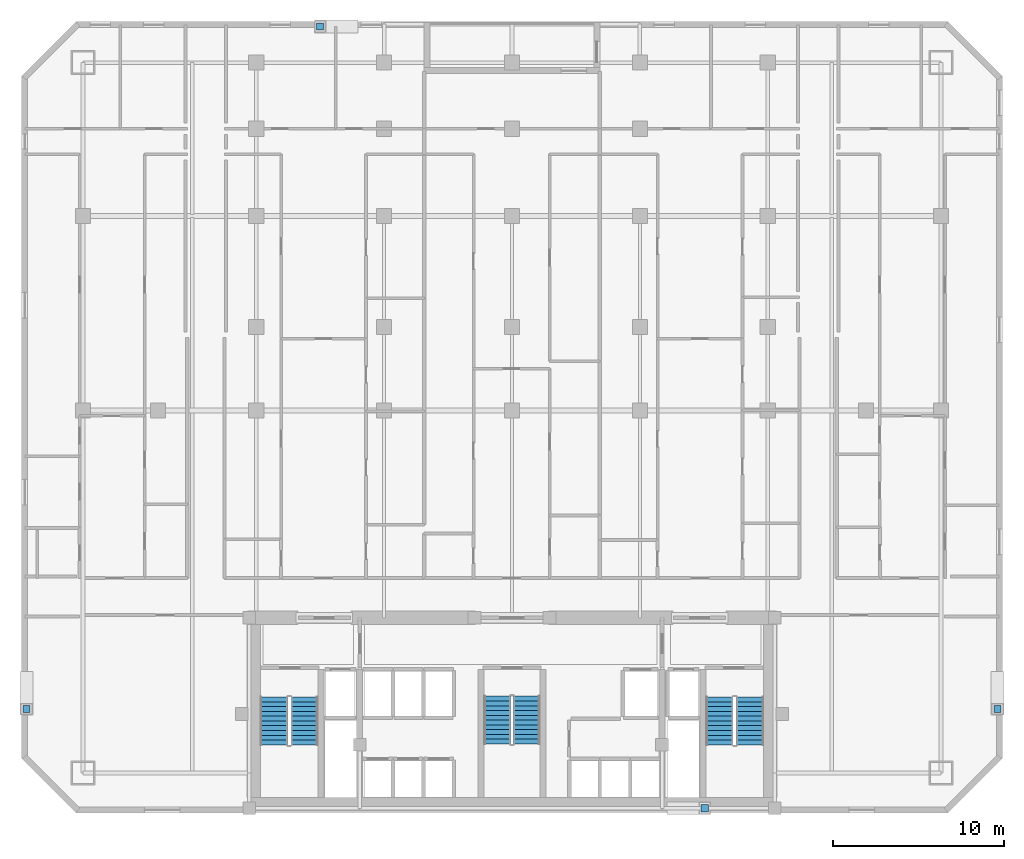
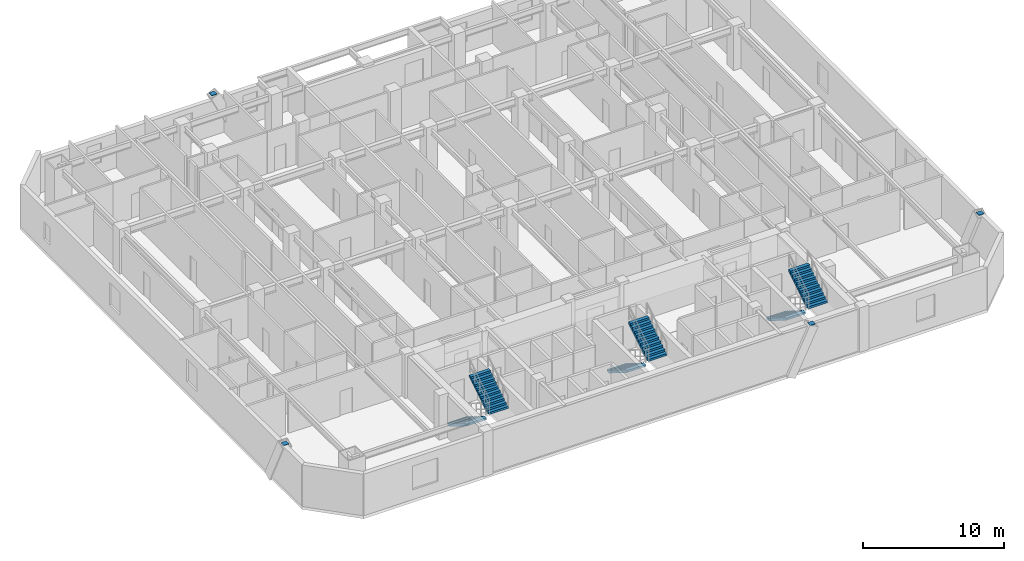
# One storey, part 9 of 10: 6 stair flights, 4 discrete accessories, 3 elements without a shape of their own.
"""IFC4 building model written with IfcOpenShell, lengths in metres."""

from ifc_helpers import new_model, si_unit, direction, frame, origin, origin_2d, place, context, subcontext, project, spatial, polyline, rectangle, outline, extrude, material, type_object, element, aggregate, save


model = new_model("IFC4")

# Units and contexts
model_context = context("Model", 3, precision=1e-05, world=origin(), true_north=direction((0.0, 1.0)))
body_context = subcontext(model_context, "Body", "Model", "MODEL_VIEW")
ifc_project = project(units=[si_unit("LENGTHUNIT", "METRE"), si_unit("AREAUNIT", "SQUARE_METRE"), si_unit("VOLUMEUNIT", "CUBIC_METRE"), si_unit("PLANEANGLEUNIT", "RADIAN"), si_unit("MASSUNIT", "GRAM", prefix="KILO")], contexts=[model_context])

# Site, building, storey
site_placement = place(None, origin())
site = spatial("IfcSite", under=ifc_project, at=site_placement, CompositionType="ELEMENT")
building_placement = place(site_placement, origin())
building = spatial("IfcBuilding", under=site, at=building_placement, Name="Ventersveld Concourse Tower", CompositionType="ELEMENT")
storey_placement = place(building_placement, frame((0.0, 0.0, 49.050048828125)))
storey = spatial("IfcBuildingStorey", under=building, at=storey_placement, Name="L11", CompositionType="ELEMENT", Elevation=49.050048828125)

# Stair, stair flights
ifc_material_1 = material(Name="Concrete C50/60", Category="concrete")
stair_type_1 = type_object("IfcStairType", Name="ST-DOG-155", PredefinedType="HALF_TURN_STAIR", material=ifc_material_1)
stair_1_placement = place(storey_placement, origin())
stair_1 = element("IfcStair", 1, at=stair_1_placement, inside=storey, type_object=stair_type_1, Name="L11 Protected Central Core Escape Stair ST-03", PredefinedType="HALF_TURN_STAIR")
stair_flight_type_1 = type_object("IfcStairFlightType", Name="STF-RC-155", PredefinedType="STRAIGHT", material=ifc_material_1)
stair_flight_1_placement = place(storey_placement, frame((27.875, 6.85009765625, 0.0), z_axis=(0.0, 0.0, 1.0), x_axis=(0.0, -1.0, 0.0)))
stair_flight_1 = element("IfcStairFlight", 2, at=stair_flight_1_placement, type_object=stair_flight_type_1, Name="ST-03 flight 1", NumberOfRisers=11, NumberOfTreads=10, PredefinedType="STRAIGHT", RiserHeight=0.175, TreadLength=0.28, context=body_context, shape_type="SweptSolid", body=[
    extrude(outline(polyline([(0.0, 0.0), (0.0, 0.175048828125), (0.280029296875, 0.175048828125), (0.280029296875, 0.35009765625), (0.56005859375, 0.35009765625), (0.56005859375, 0.52490234375), (0.840087890625, 0.52490234375), (0.840087890625, 0.699951171875), (1.1201171875, 0.699951171875), (1.1201171875, 0.875), (1.39990234375, 0.875), (1.39990234375, 1.050048828125), (1.679931640625, 1.050048828125), (1.679931640625, 1.22509765625), (1.9599609375, 1.22509765625), (1.9599609375, 1.39990234375), (2.239990234375, 1.39990234375), (2.239990234375, 1.574951171875), (2.52001953125, 1.574951171875), (2.52001953125, 1.75), (2.800048828125, 1.75), (2.800048828125, 1.925048828125), (2.800048828125, 1.5732421875), (0.28271484375, 0.0), (0.0, 0.0)])), frame((0.0, 0.77490234375, 0.0), z_axis=(0.0, -1.0, 0.0), x_axis=(1.0, 0.0, 0.0)), (0.0, 0.0, 1.0), 1.550048828125),
])
stair_flight_2_placement = place(storey_placement, frame((29.625, 4.050048828125, 1.925048828125), z_axis=(0.0, 0.0, 1.0), x_axis=(0.0, 1.0, 0.0)))
stair_flight_2 = element("IfcStairFlight", 3, at=stair_flight_2_placement, type_object=stair_flight_type_1, Name="ST-03 flight 2", NumberOfRisers=11, NumberOfTreads=10, PredefinedType="STRAIGHT", RiserHeight=0.175, TreadLength=0.28, context=body_context, shape_type="SweptSolid", body=[
    extrude(outline(polyline([(0.0, 0.0), (0.0, 0.175048828125), (0.280029296875, 0.175048828125), (0.280029296875, 0.35009765625), (0.56005859375, 0.35009765625), (0.56005859375, 0.52490234375), (0.840087890625, 0.52490234375), (0.840087890625, 0.699951171875), (1.1201171875, 0.699951171875), (1.1201171875, 0.875), (1.39990234375, 0.875), (1.39990234375, 1.050048828125), (1.679931640625, 1.050048828125), (1.679931640625, 1.22509765625), (1.9599609375, 1.22509765625), (1.9599609375, 1.39990234375), (2.239990234375, 1.39990234375), (2.239990234375, 1.574951171875), (2.52001953125, 1.574951171875), (2.52001953125, 1.75), (2.800048828125, 1.75), (2.800048828125, 1.925048828125), (2.800048828125, 1.5732421875), (0.28271484375, 0.0), (0.0, 0.0)])), frame((0.0, 0.77490234375, 0.0), z_axis=(0.0, -1.0, 0.0), x_axis=(1.0, 0.0, 0.0)), (0.0, 0.0, 1.0), 1.550048828125),
])
aggregate(stair_1, [stair_flight_1, stair_flight_2])

stair_type_2 = type_object("IfcStairType", Name="ST-DOG-160", PredefinedType="HALF_TURN_STAIR", material=ifc_material_1)
stair_2_placement = place(storey_placement, origin())
stair_2 = element("IfcStair", 4, at=stair_2_placement, inside=storey, type_object=stair_type_2, Name="L11 Protected Tower Escape Stair ST-01", PredefinedType="HALF_TURN_STAIR")
stair_flight_type_2 = type_object("IfcStairFlightType", Name="STF-RC-160", PredefinedType="STRAIGHT", material=ifc_material_1)
stair_flight_3_placement = place(storey_placement, frame((14.780029296875, 6.800048828125, 0.0), z_axis=(0.0, 0.0, 1.0), x_axis=(0.0, -1.0, 0.0)))
stair_flight_3 = element("IfcStairFlight", 5, at=stair_flight_3_placement, type_object=stair_flight_type_2, Name="ST-01 flight 1", NumberOfRisers=11, NumberOfTreads=10, PredefinedType="STRAIGHT", RiserHeight=0.175, TreadLength=0.28, context=body_context, shape_type="SweptSolid", body=[
    extrude(outline(polyline([(0.0, 0.0), (0.0, 0.175048828125), (0.280029296875, 0.175048828125), (0.280029296875, 0.35009765625), (0.56005859375, 0.35009765625), (0.56005859375, 0.52490234375), (0.840087890625, 0.52490234375), (0.840087890625, 0.699951171875), (1.1201171875, 0.699951171875), (1.1201171875, 0.875), (1.39990234375, 0.875), (1.39990234375, 1.050048828125), (1.679931640625, 1.050048828125), (1.679931640625, 1.22509765625), (1.9599609375, 1.22509765625), (1.9599609375, 1.39990234375), (2.239990234375, 1.39990234375), (2.239990234375, 1.574951171875), (2.52001953125, 1.574951171875), (2.52001953125, 1.75), (2.800048828125, 1.75), (2.800048828125, 1.925048828125), (2.800048828125, 1.5732421875), (0.28271484375, 0.0), (0.0, 0.0)])), frame((0.0, 0.800048828125, 0.0), z_axis=(0.0, -1.0, 0.0), x_axis=(1.0, 0.0, 0.0)), (0.0, 0.0, 1.0), 1.60009765625),
])
stair_flight_4_placement = place(storey_placement, frame((16.580078125, 4.0, 1.925048828125), z_axis=(0.0, 0.0, 1.0), x_axis=(0.0, 1.0, 0.0)))
stair_flight_4 = element("IfcStairFlight", 6, at=stair_flight_4_placement, type_object=stair_flight_type_2, Name="ST-01 flight 2", NumberOfRisers=11, NumberOfTreads=10, PredefinedType="STRAIGHT", RiserHeight=0.175, TreadLength=0.28, context=body_context, shape_type="SweptSolid", body=[
    extrude(outline(polyline([(0.0, 0.0), (0.0, 0.175048828125), (0.280029296875, 0.175048828125), (0.280029296875, 0.35009765625), (0.56005859375, 0.35009765625), (0.56005859375, 0.52490234375), (0.840087890625, 0.52490234375), (0.840087890625, 0.699951171875), (1.1201171875, 0.699951171875), (1.1201171875, 0.875), (1.39990234375, 0.875), (1.39990234375, 1.050048828125), (1.679931640625, 1.050048828125), (1.679931640625, 1.22509765625), (1.9599609375, 1.22509765625), (1.9599609375, 1.39990234375), (2.239990234375, 1.39990234375), (2.239990234375, 1.574951171875), (2.52001953125, 1.574951171875), (2.52001953125, 1.75), (2.800048828125, 1.75), (2.800048828125, 1.925048828125), (2.800048828125, 1.5732421875), (0.28271484375, 0.0), (0.0, 0.0)])), frame((0.0, 0.800048828125, 0.0), z_axis=(0.0, -1.0, 0.0), x_axis=(1.0, 0.0, 0.0)), (0.0, 0.0, 1.0), 1.60009765625),
])
aggregate(stair_2, [stair_flight_3, stair_flight_4])

stair_3_placement = place(storey_placement, origin())
stair_3 = element("IfcStair", 7, at=stair_3_placement, inside=storey, type_object=stair_type_2, Name="L11 Protected Tower Escape Stair ST-02", PredefinedType="HALF_TURN_STAIR")
stair_flight_5_placement = place(storey_placement, frame((40.919921875, 6.800048828125, 0.0), z_axis=(0.0, 0.0, 1.0), x_axis=(0.0, -1.0, 0.0)))
stair_flight_5 = element("IfcStairFlight", 8, at=stair_flight_5_placement, type_object=stair_flight_type_2, Name="ST-02 flight 1", NumberOfRisers=11, NumberOfTreads=10, PredefinedType="STRAIGHT", RiserHeight=0.175, TreadLength=0.28, context=body_context, shape_type="SweptSolid", body=[
    extrude(outline(polyline([(0.0, 0.0), (0.0, 0.175048828125), (0.280029296875, 0.175048828125), (0.280029296875, 0.35009765625), (0.56005859375, 0.35009765625), (0.56005859375, 0.52490234375), (0.840087890625, 0.52490234375), (0.840087890625, 0.699951171875), (1.1201171875, 0.699951171875), (1.1201171875, 0.875), (1.39990234375, 0.875), (1.39990234375, 1.050048828125), (1.679931640625, 1.050048828125), (1.679931640625, 1.22509765625), (1.9599609375, 1.22509765625), (1.9599609375, 1.39990234375), (2.239990234375, 1.39990234375), (2.239990234375, 1.574951171875), (2.52001953125, 1.574951171875), (2.52001953125, 1.75), (2.800048828125, 1.75), (2.800048828125, 1.925048828125), (2.800048828125, 1.5732421875), (0.28271484375, 0.0), (0.0, 0.0)])), frame((0.0, 0.800048828125, 0.0), z_axis=(0.0, -1.0, 0.0), x_axis=(1.0, 0.0, 0.0)), (0.0, 0.0, 1.0), 1.60009765625),
])
stair_flight_6_placement = place(storey_placement, frame((42.719970703125, 4.0, 1.925048828125), z_axis=(0.0, 0.0, 1.0), x_axis=(0.0, 1.0, 0.0)))
stair_flight_6 = element("IfcStairFlight", 9, at=stair_flight_6_placement, type_object=stair_flight_type_2, Name="ST-02 flight 2", NumberOfRisers=11, NumberOfTreads=10, PredefinedType="STRAIGHT", RiserHeight=0.175, TreadLength=0.28, context=body_context, shape_type="SweptSolid", body=[
    extrude(outline(polyline([(0.0, 0.0), (0.0, 0.175048828125), (0.280029296875, 0.175048828125), (0.280029296875, 0.35009765625), (0.56005859375, 0.35009765625), (0.56005859375, 0.52490234375), (0.840087890625, 0.52490234375), (0.840087890625, 0.699951171875), (1.1201171875, 0.699951171875), (1.1201171875, 0.875), (1.39990234375, 0.875), (1.39990234375, 1.050048828125), (1.679931640625, 1.050048828125), (1.679931640625, 1.22509765625), (1.9599609375, 1.22509765625), (1.9599609375, 1.39990234375), (2.239990234375, 1.39990234375), (2.239990234375, 1.574951171875), (2.52001953125, 1.574951171875), (2.52001953125, 1.75), (2.800048828125, 1.75), (2.800048828125, 1.925048828125), (2.800048828125, 1.5732421875), (0.28271484375, 0.0), (0.0, 0.0)])), frame((0.0, 0.800048828125, 0.0), z_axis=(0.0, -1.0, 0.0), x_axis=(1.0, 0.0, 0.0)), (0.0, 0.0, 1.0), 1.60009765625),
])
aggregate(stair_3, [stair_flight_5, stair_flight_6])

# Discrete accessories
ifc_material_2 = material(Name="Structural steel S355J2", Category="steel")
discrete_accessory_type = type_object("IfcDiscreteAccessoryType", Name="CONN-BRACE-ECP1", PredefinedType="BRACKET", material=ifc_material_2)
for number, where, z_axis, x_axis, name in (
    (10, (17.5, 46.1201171875, 3.579833984375), (0.0, 0.0, 1.0), (1.0, 0.0, 0.0), "L11 Steel Brace End Connection Plate ECP1-0218"),
    (11, (40.050048828125, 0.280029296875, 3.579833984375), (0.0, 0.0, 1.0), (1.0, 0.0, 0.0), "L11 Steel Brace End Connection Plate ECP1-0222"),
    (12, (0.280029296875, 6.10009765625, 3.579833984375), (0.0, 0.0, 1.0), (1.0, 0.0, 0.0), "L11 Steel Brace End Connection Plate ECP1-0226"),
    (13, (57.219970703125, 6.10009765625, 3.579833984375), (0.0, 0.0, 1.0), (1.0, 0.0, 0.0), "L11 Steel Brace End Connection Plate ECP1-0230"),
):
    element("IfcDiscreteAccessory", number, at=place(storey_placement, frame(where, z_axis=z_axis, x_axis=x_axis)), inside=storey, type_object=discrete_accessory_type, Name=name, PredefinedType="BRACKET", context=body_context, shape_type="SweptSolid", body=[
        extrude(rectangle(XDim=0.419921875, YDim=0.419921875, at=origin_2d()), origin(), (0.0, 0.0, 1.0), 0.0400390625),
    ])

save(model, "model.ifc")
